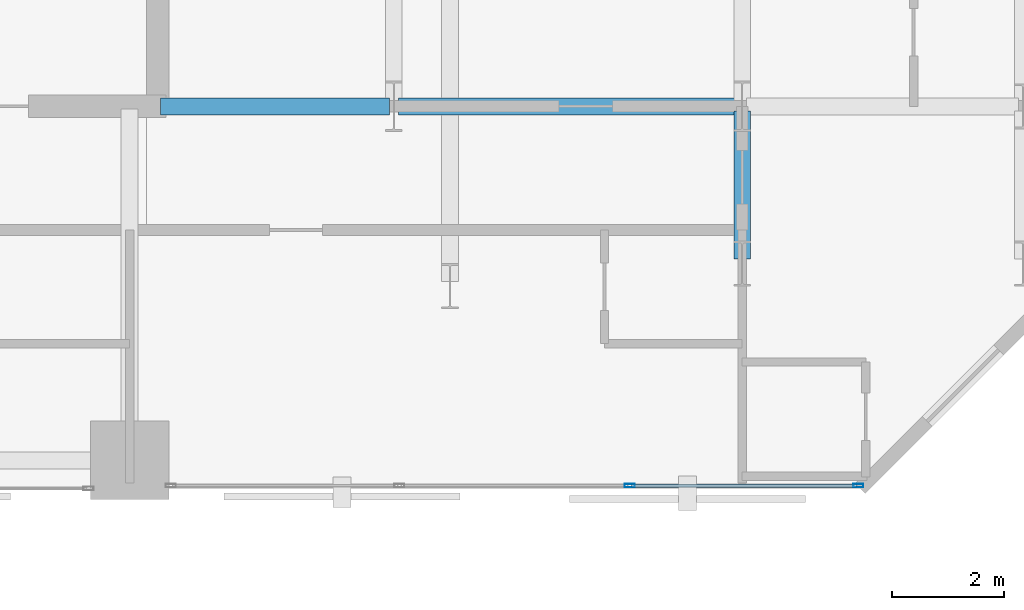
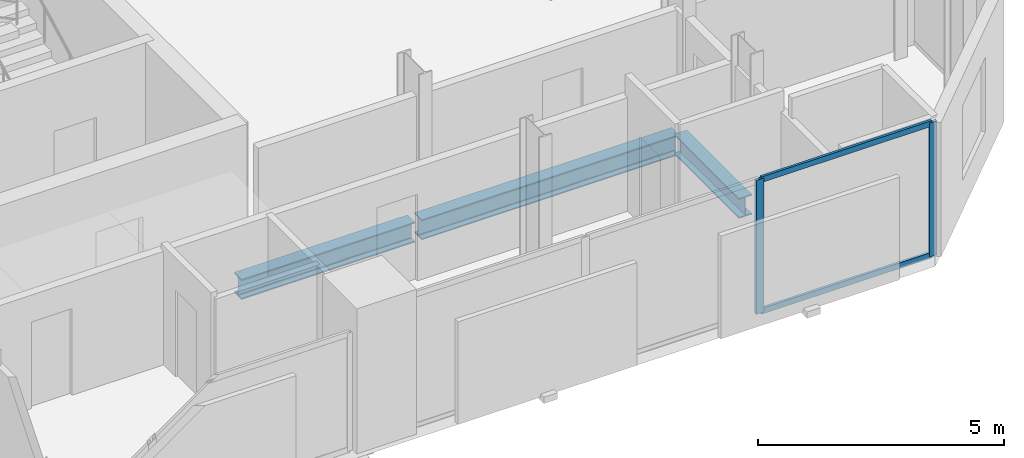
# One storey, part 16 of 33: 4 members, 3 beams, 1 element without a shape of its own.
"""IFC4 building model written with IfcOpenShell, lengths in metres."""

from ifc_helpers import new_model, si_unit, direction, frame, origin, origin_2d, place, context, subcontext, project, spatial, hollow_rectangle, i_section, extrude, material, layer, layer_set, material_profile, profile_set, type_object, element, aggregate, save


model = new_model("IFC4")

# Units and contexts
model_context = context("Model", 3, precision=1e-05, world=origin(), true_north=direction((0.0, 1.0)))
body_context = subcontext(model_context, "Body", "Model", "MODEL_VIEW")
ifc_project = project(units=[si_unit("LENGTHUNIT", "METRE"), si_unit("AREAUNIT", "SQUARE_METRE"), si_unit("VOLUMEUNIT", "CUBIC_METRE"), si_unit("PLANEANGLEUNIT", "RADIAN"), si_unit("MASSUNIT", "GRAM", prefix="KILO")], contexts=[model_context])

# Site, building, storey
site_placement = place(None, origin())
site = spatial("IfcSite", under=ifc_project, at=site_placement, CompositionType="ELEMENT")
building_placement = place(site_placement, origin())
building = spatial("IfcBuilding", under=site, at=building_placement, Name="Catumbela Crestline Tower", CompositionType="ELEMENT")
storey_placement = place(building_placement, frame((0.0, 0.0, 54.6)))
storey = spatial("IfcBuildingStorey", under=building, at=storey_placement, Name="L13", CompositionType="ELEMENT", Elevation=54.6)

# Beams
ifc_material_1 = material(Name="Structural steel S355J2", Category="steel")
ifc_material_profile_1 = material_profile(ifc_material_1, i_section(OverallWidth=0.3, OverallDepth=0.5, WebThickness=0.0145, FlangeThickness=0.028, FilletRadius=0.027, at=origin_2d()), Name="HEB 500")
ifc_profile_set_1 = profile_set([ifc_material_profile_1], Name="Structural steel S355J2")
beam_type = type_object("IfcBeamType", Name="BG-HEB500", PredefinedType="BEAM", material=ifc_profile_set_1)
beam_1_placement = place(storey_placement, frame((40.05, 30.8, -0.51), z_axis=(1.0, 0.0, 0.0), x_axis=(0.0, 1.0, 0.0)))
element("IfcBeam", 1, at=beam_1_placement, inside=storey, type_object=beam_type, Name="L13 Beam BM-L13-M10", PredefinedType="BEAM", context=body_context, shape_type="SweptSolid", body=[
    extrude(i_section(OverallWidth=0.3, OverallDepth=0.5, WebThickness=0.0145, FlangeThickness=0.028, FilletRadius=0.027, at=origin_2d()), origin(), (0.0, 0.0, 1.0), 4.07),
])
beam_2_placement = place(storey_placement, frame((44.28, 30.8, -0.51), z_axis=(1.0, 0.0, 0.0), x_axis=(0.0, 1.0, 0.0)))
element("IfcBeam", 2, at=beam_2_placement, inside=storey, type_object=beam_type, Name="L13 Beam BM-L13-M11", PredefinedType="BEAM", context=body_context, shape_type="SweptSolid", body=[
    extrude(i_section(OverallWidth=0.3, OverallDepth=0.5, WebThickness=0.0145, FlangeThickness=0.028, FilletRadius=0.027, at=origin_2d()), origin(), (0.0, 0.0, 1.0), 6.04),
])
beam_3_placement = place(storey_placement, frame((50.4, 28.08, -0.51), z_axis=(0.0, 1.0, 0.0), x_axis=(-1.0, 0.0, 0.0)))
element("IfcBeam", 3, at=beam_3_placement, inside=storey, type_object=beam_type, Name="L13 Beam BM-L13-SN37", PredefinedType="BEAM", context=body_context, shape_type="SweptSolid", body=[
    extrude(i_section(OverallWidth=0.3, OverallDepth=0.5, WebThickness=0.0145, FlangeThickness=0.028, FilletRadius=0.027, at=origin_2d()), origin(), (0.0, 0.0, 1.0), 2.64),
])

# Curtain wall, members
ifc_material_2 = material(Name="Aluminium alloy AW-6060-T66", Category="aluminium")
ifc_layer = layer(ifc_material_2, 0.18, Name="Aluminium alloy AW-6060-T66")
ifc_layer_set = layer_set([ifc_layer], Name="Aluminium alloy AW-6060-T66")
curtain_wall_type = type_object("IfcCurtainWallType", Name="CWU-Z1", PredefinedType="USERDEFINED", material=ifc_layer_set)
curtain_wall_placement = place(storey_placement, origin())
curtain_wall = element("IfcCurtainWall", 4, at=curtain_wall_placement, inside=storey, type_object=curtain_wall_type, Name="L13 Unitised Curtain Wall CW-L13-E3S2", ObjectType="UNITISED", PredefinedType="USERDEFINED")
ifc_material_profile_2 = material_profile(ifc_material_2, hollow_rectangle(XDim=0.065, YDim=0.18, WallThickness=0.004, at=origin_2d()), Name="ALU 180x65x4")
ifc_profile_set_2 = profile_set([ifc_material_profile_2], Name="Aluminium alloy AW-6060-T66")
member_type_1 = type_object("IfcMemberType", Name="MUL-180X65", PredefinedType="MULLION", material=ifc_profile_set_2)
member_1_placement = place(storey_placement, frame((48.4, 24.05, 0.0), z_axis=(0.0, 0.0, 1.0), x_axis=(0.0, 1.0, 0.0)))
member_1 = element("IfcMember", 5, at=member_1_placement, type_object=member_type_1, Name="CWU-Z1 mullion 3", PredefinedType="MULLION", context=body_context, shape_type="SweptSolid", body=[
    extrude(hollow_rectangle(XDim=0.065, YDim=0.18, WallThickness=0.004, at=origin_2d()), origin(), (0.0, 0.0, 1.0), 3.33),
])
member_2_placement = place(storey_placement, frame((52.4675, 24.05, 0.0), z_axis=(0.0, 0.0, 1.0), x_axis=(0.0, 1.0, 0.0)))
member_2 = element("IfcMember", 6, at=member_2_placement, type_object=member_type_1, Name="CWU-Z1 mullion 4", PredefinedType="MULLION", context=body_context, shape_type="SweptSolid", body=[
    extrude(hollow_rectangle(XDim=0.065, YDim=0.18, WallThickness=0.004, at=origin_2d()), origin(), (0.0, 0.0, 1.0), 3.33),
])
ifc_material_profile_3 = material_profile(ifc_material_2, hollow_rectangle(XDim=0.06, YDim=0.14, WallThickness=0.004, at=origin_2d()), Name="ALU 140x60x4")
ifc_profile_set_3 = profile_set([ifc_material_profile_3], Name="Aluminium alloy AW-6060-T66")
member_type_2 = type_object("IfcMemberType", Name="TRN-140X60", PredefinedType="USERDEFINED", material=ifc_profile_set_3)
member_3_placement = place(storey_placement, frame((48.4325, 24.05, 0.03), z_axis=(1.0, 0.0, 0.0), x_axis=(0.0, 1.0, 0.0)))
member_3 = element("IfcMember", 7, at=member_3_placement, type_object=member_type_2, Name="CWU-Z1 transom 3.1", ObjectType="TRANSOM", PredefinedType="USERDEFINED", context=body_context, shape_type="SweptSolid", body=[
    extrude(hollow_rectangle(XDim=0.06, YDim=0.14, WallThickness=0.004, at=origin_2d()), origin(), (0.0, 0.0, 1.0), 4.0025),
])
member_4_placement = place(storey_placement, frame((48.4325, 24.05, 3.3), z_axis=(1.0, 0.0, 0.0), x_axis=(0.0, 1.0, 0.0)))
member_4 = element("IfcMember", 8, at=member_4_placement, type_object=member_type_2, Name="CWU-Z1 transom 3.2", ObjectType="TRANSOM", PredefinedType="USERDEFINED", context=body_context, shape_type="SweptSolid", body=[
    extrude(hollow_rectangle(XDim=0.06, YDim=0.14, WallThickness=0.004, at=origin_2d()), origin(), (0.0, 0.0, 1.0), 4.0025),
])
aggregate(curtain_wall, [member_1, member_2, member_3, member_4])

save(model, "model.ifc")
